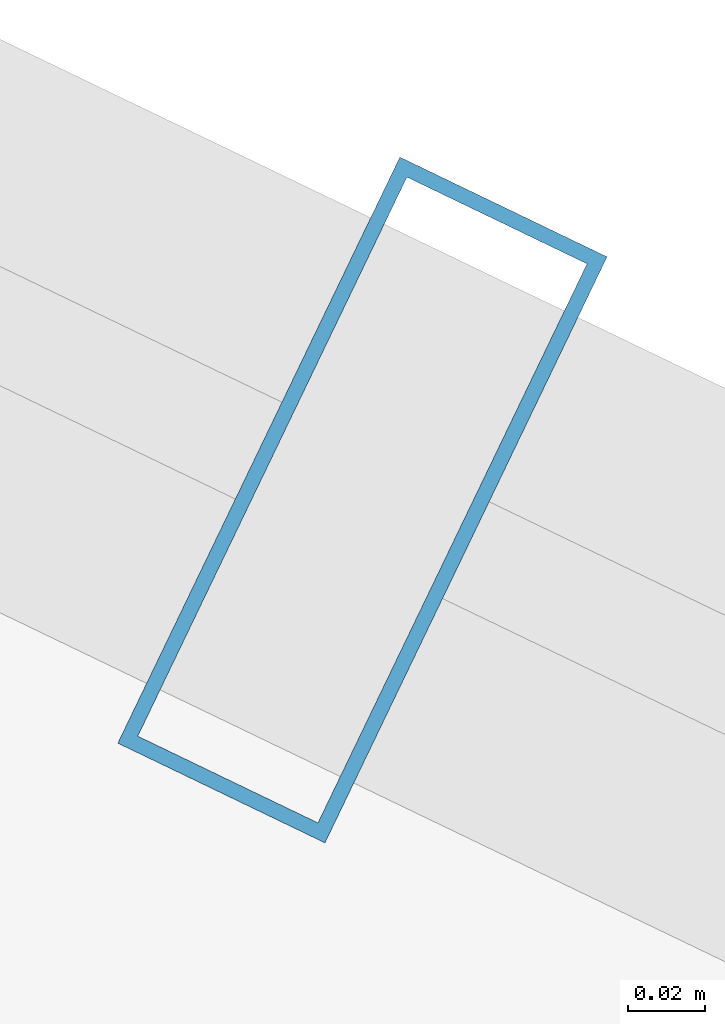
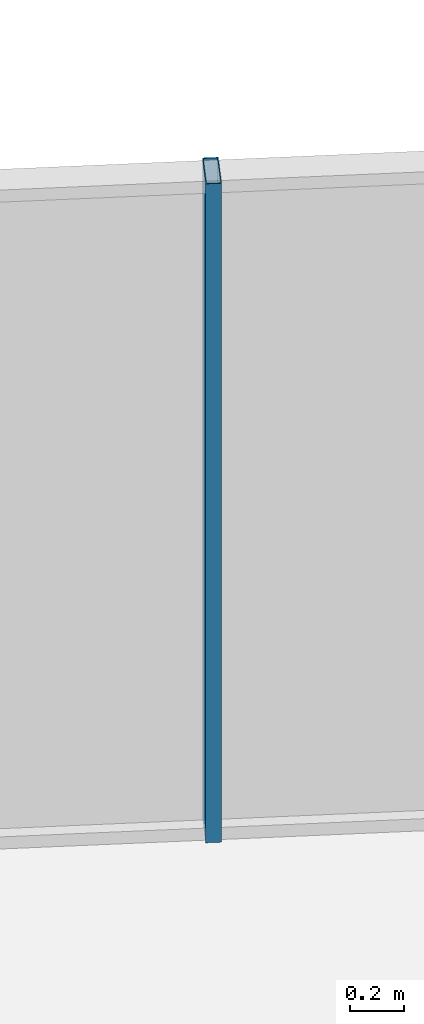
# One storey, part 25 of 35: 1 member, 1 element without a shape of its own.
"""IFC4 building model written with IfcOpenShell, lengths in metres."""

from ifc_helpers import new_model, si_unit, direction, frame, origin, origin_2d, place, context, subcontext, project, spatial, hollow_rectangle, extrude, source, transform, mapped, material, layer, layer_set, material_profile, profile_set, type_object, element, aggregate, save


model = new_model("IFC4")

# Units and contexts
model_context = context("Model", 3, precision=1e-05, world=origin(), true_north=direction((0.0, 1.0)))
body_context = subcontext(model_context, "Body", "Model", "MODEL_VIEW")
ifc_project = project(units=[si_unit("LENGTHUNIT", "METRE"), si_unit("AREAUNIT", "SQUARE_METRE"), si_unit("VOLUMEUNIT", "CUBIC_METRE"), si_unit("PLANEANGLEUNIT", "RADIAN"), si_unit("MASSUNIT", "GRAM", prefix="KILO")], contexts=[model_context])

# Site, building, storey
site_placement = place(None, origin())
site = spatial("IfcSite", under=ifc_project, at=site_placement, CompositionType="ELEMENT")
building_placement = place(site_placement, origin())
building = spatial("IfcBuilding", under=site, at=building_placement, Name="Veraguas Prism Commons", CompositionType="ELEMENT")
storey_placement = place(building_placement, frame((0.0, 0.0, 142.5)))
storey = spatial("IfcBuildingStorey", under=building, at=storey_placement, Name="L40", CompositionType="ELEMENT", Elevation=142.5)

# Curtain wall, member
ifc_material = material(Name="Anodised aluminium EN AW-6063 T6", Category="aluminium")
ifc_layer = layer(ifc_material, 0.169921875, Name="Unitised Flush Curtain Wall Zone 2", Category="aluminium")
ifc_layer_set = layer_set([ifc_layer], Name="Anodised aluminium EN AW-6063 T6")
curtain_wall_type = type_object("IfcCurtainWallType", Name="Unitised Flush Curtain Wall Zone 2", PredefinedType="NOTDEFINED", material=ifc_layer_set)
curtain_wall_placement = place(storey_placement, origin())
curtain_wall = element("IfcCurtainWall", 1, at=curtain_wall_placement, inside=storey, type_object=curtain_wall_type, Name="Tower Facade Curtain Wall L40-F1", PredefinedType="NOTDEFINED")
ifc_material_profile = material_profile(ifc_material, hollow_rectangle(XDim=0.06005859375, YDim=0.169921875, WallThickness=0.00390625, at=origin_2d()), Name="AL60X170X4")
ifc_profile_set = profile_set([ifc_material_profile], Name="Anodised aluminium EN AW-6063 T6")
member_type = type_object("IfcMemberType", Name="Curtain Wall Mullion Lower AL 60x170x4", PredefinedType="MULLION", material=ifc_profile_set)
shared_shape = source(origin(), body_context, "Body", "SweptSolid", [
    extrude(hollow_rectangle(XDim=0.06005859375, YDim=0.169921875, WallThickness=0.00390625, at=origin_2d()), origin(), (0.0, 0.0, 1.0), 3.0),
])
member_placement = place(storey_placement, frame((32.318603515625, 41.284912109375, 0.0), z_axis=(0.0, 0.0, 1.0), x_axis=(-0.901075507561, 0.433662229937, 0.0)))
member = element("IfcMember", 2, at=member_placement, type_object=member_type, Name="CW-Z2 Mullion 3", PredefinedType="MULLION", context=body_context, shape_type="MappedRepresentation", body=[
    mapped(shared_shape, transform((0.0, 0.0, 0.0), scale=1.0)),
])
aggregate(curtain_wall, [member])

save(model, "model.ifc")
